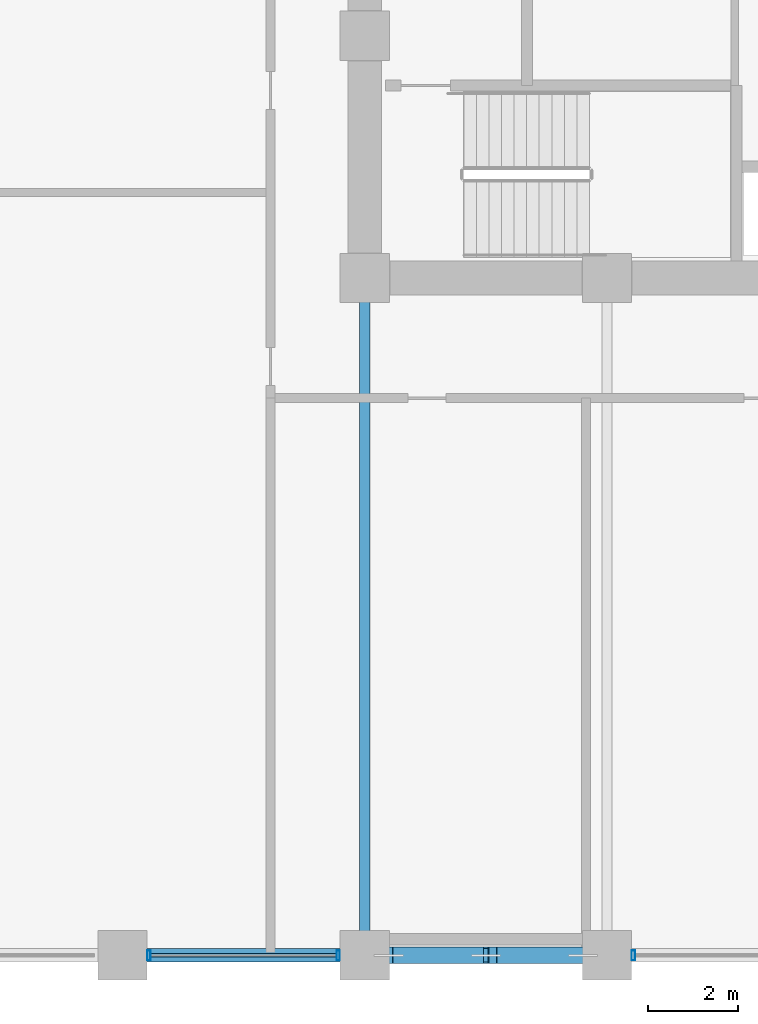
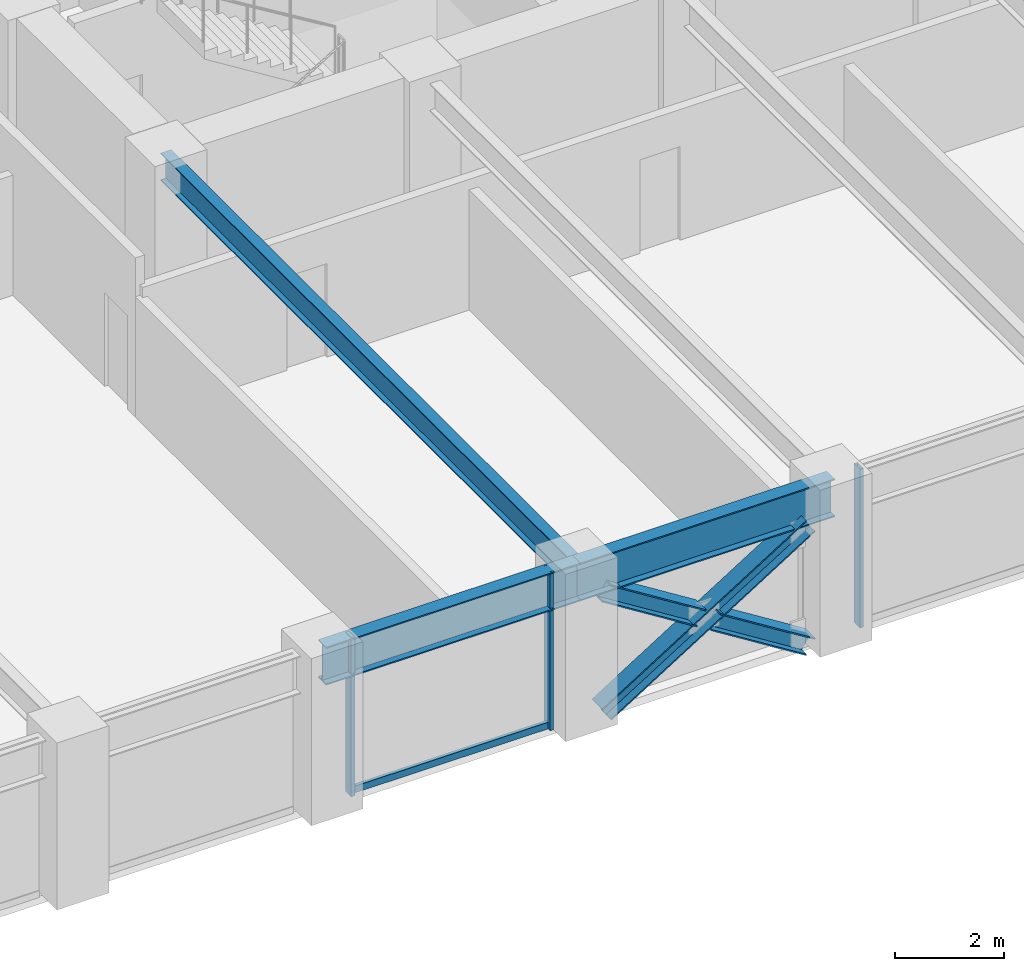
# One storey, part 4 of 25: 7 members, 3 beams, 2 elements without a shape of their own.
"""IFC4 building model written with IfcOpenShell, lengths in metres."""

from ifc_helpers import new_model, si_unit, direction, frame, origin, origin_2d, place, context, subcontext, project, spatial, hollow_rectangle, i_section, extrude, material, layer, layer_set, material_profile, profile_set, type_object, element, aggregate, save


model = new_model("IFC4")

# Units and contexts
model_context = context("Model", 3, precision=1e-05, world=origin(), true_north=direction((0.0, 1.0)))
body_context = subcontext(model_context, "Body", "Model", "MODEL_VIEW")
ifc_project = project(units=[si_unit("LENGTHUNIT", "METRE"), si_unit("AREAUNIT", "SQUARE_METRE"), si_unit("VOLUMEUNIT", "CUBIC_METRE"), si_unit("PLANEANGLEUNIT", "RADIAN"), si_unit("MASSUNIT", "GRAM", prefix="KILO")], contexts=[model_context])

# Site, building, storey
site_placement = place(None, origin())
site = spatial("IfcSite", under=ifc_project, at=site_placement, CompositionType="ELEMENT")
building_placement = place(site_placement, origin())
building = spatial("IfcBuilding", under=site, at=building_placement, Name="Surkhivell Harbour Commons", CompositionType="ELEMENT")
storey_placement = place(building_placement, frame((0.0, 0.0, 124.5)))
storey = spatial("IfcBuildingStorey", under=building, at=storey_placement, Name="L32", CompositionType="ELEMENT", Elevation=124.5)

# Beams
ifc_material_1 = material(Name="Steel S355", Category="steel")
ifc_material_profile_1 = material_profile(ifc_material_1, i_section(OverallWidth=0.22998046875, OverallDepth=0.616943359375, WebThickness=0.01318359375, FlangeThickness=0.022216796875, at=origin_2d()), Name="UB610x229x140")
ifc_profile_set_1 = profile_set([ifc_material_profile_1], Name="Steel S355")
beam_type_1 = type_object("IfcBeamType", Name="BM-GRD-610B", PredefinedType="BEAM", material=ifc_profile_set_1)
beam_1_placement = place(storey_placement, frame((-10.800048828125, -25.89990234375, 3.261474609375), z_axis=(0.0, 1.0, 0.0), x_axis=(-1.0, 0.0, 0.0)))
element("IfcBeam", 1, at=beam_1_placement, inside=storey, type_object=beam_type_1, Name="L32 Floor Girder (-10.8,-25.9)", PredefinedType="BEAM", context=body_context, shape_type="SweptSolid", body=[
    extrude(i_section(OverallWidth=0.22998046875, OverallDepth=0.616943359375, WebThickness=0.01318359375, FlangeThickness=0.022216796875, at=origin_2d()), origin(), (0.0, 0.0, 1.0), 15.099853515625),
])
ifc_material_2 = material(Name="Steel S460", Category="steel")
ifc_material_profile_2 = material_profile(ifc_material_2, i_section(OverallWidth=0.2939453125, OverallDepth=0.85107421875, WebThickness=0.01611328125, FlangeThickness=0.02685546875, at=origin_2d()), Name="UB838x292x226")
ifc_profile_set_2 = profile_set([ifc_material_profile_2], Name="Steel S460")
beam_type_2 = type_object("IfcBeamType", Name="BM-SPN-838", PredefinedType="SPANDREL", material=ifc_profile_set_2)
beam_2_placement = place(storey_placement, frame((-16.199951171875, -25.89990234375, 3.14453125), z_axis=(1.0, 0.0, 0.0), x_axis=(0.0, 1.0, 0.0)))
element("IfcBeam", 2, at=beam_2_placement, inside=storey, type_object=beam_type_2, Name="L32 Tube Spandrel (-16.2,-25.9)", PredefinedType="SPANDREL", context=body_context, shape_type="SweptSolid", body=[
    extrude(i_section(OverallWidth=0.2939453125, OverallDepth=0.85107421875, WebThickness=0.01611328125, FlangeThickness=0.02685546875, at=origin_2d()), origin(), (0.0, 0.0, 1.0), 5.39990234375),
])
beam_3_placement = place(storey_placement, frame((-10.800048828125, -25.89990234375, 3.14453125), z_axis=(1.0, 0.0, 0.0), x_axis=(0.0, 1.0, 0.0)))
element("IfcBeam", 3, at=beam_3_placement, inside=storey, type_object=beam_type_2, Name="L32 Tube Spandrel (-10.8,-25.9)", PredefinedType="SPANDREL", context=body_context, shape_type="SweptSolid", body=[
    extrude(i_section(OverallWidth=0.2939453125, OverallDepth=0.85107421875, WebThickness=0.01611328125, FlangeThickness=0.02685546875, at=origin_2d()), origin(), (0.0, 0.0, 1.0), 5.400146484375),
])

# Curtain wall, members
ifc_material_3 = material(Name="Anodised pale-metal aluminium and insulated glazing", Category="aluminium")
ifc_layer = layer(ifc_material_3, 0.205078125)
ifc_layer_set = layer_set([ifc_layer], Name="Anodised pale-metal aluminium and insulated glazing")
curtain_wall_type = type_object("IfcCurtainWallType", Name="CW-SYS-Z2", PredefinedType="NOTDEFINED", material=ifc_layer_set)
curtain_wall_1_placement = place(storey_placement, origin())
curtain_wall_1 = element("IfcCurtainWall", 4, at=curtain_wall_1_placement, inside=storey, type_object=curtain_wall_type, Name="L32 Curtain Wall CW-L32-E00S1", PredefinedType="NOTDEFINED")
ifc_material_4 = material(Name="Anodised pale-metal aluminium alloy 6063-T6", Category="aluminium")
ifc_material_profile_3 = material_profile(ifc_material_4, hollow_rectangle(XDim=0.074951171875, YDim=0.219970703125, WallThickness=0.00390625, at=origin_2d()), Name="ALU-MULL-75x220")
ifc_profile_set_3 = profile_set([ifc_material_profile_3], Name="Anodised pale-metal aluminium alloy 6063-T6")
member_type_1 = type_object("IfcMemberType", Name="CWM-220", PredefinedType="MULLION", material=ifc_profile_set_3)
member_1_placement = place(storey_placement, frame((-15.610595703125, -25.89990234375, 0.0), z_axis=(0.0, 0.0, 1.0), x_axis=(1.0, 0.0, 0.0)))
member_1 = element("IfcMember", 5, at=member_1_placement, type_object=member_type_1, Name="CW-Z2 mullion 3", PredefinedType="MULLION", context=body_context, shape_type="SweptSolid", body=[
    extrude(hollow_rectangle(XDim=0.074951171875, YDim=0.219970703125, WallThickness=0.00390625, at=origin_2d()), origin(), (0.0, 0.0, 1.0), 3.570068359375),
])
member_2_placement = place(storey_placement, frame((-11.389404296875, -25.89990234375, 0.0), z_axis=(0.0, 0.0, 1.0), x_axis=(1.0, 0.0, 0.0)))
member_2 = element("IfcMember", 6, at=member_2_placement, type_object=member_type_1, Name="CW-Z2 mullion 4", PredefinedType="MULLION", context=body_context, shape_type="SweptSolid", body=[
    extrude(hollow_rectangle(XDim=0.074951171875, YDim=0.219970703125, WallThickness=0.00390625, at=origin_2d()), origin(), (0.0, 0.0, 1.0), 3.570068359375),
])

# Curtain wall, member
curtain_wall_2_placement = place(storey_placement, origin())
curtain_wall_2 = element("IfcCurtainWall", 7, at=curtain_wall_2_placement, inside=storey, type_object=curtain_wall_type, Name="L32 Curtain Wall CW-L32-E00S2", PredefinedType="NOTDEFINED")
member_3_placement = place(storey_placement, frame((-4.810546875, -25.89990234375, 0.0), z_axis=(0.0, 0.0, 1.0), x_axis=(1.0, 0.0, 0.0)))
member_3 = element("IfcMember", 8, at=member_3_placement, type_object=member_type_1, Name="CW-Z2 mullion 1", PredefinedType="MULLION", context=body_context, shape_type="SweptSolid", body=[
    extrude(hollow_rectangle(XDim=0.074951171875, YDim=0.219970703125, WallThickness=0.00390625, at=origin_2d()), origin(), (0.0, 0.0, 1.0), 3.570068359375),
])
aggregate(curtain_wall_2, [member_3])

# Member
ifc_material_profile_4 = material_profile(ifc_material_4, hollow_rectangle(XDim=0.074951171875, YDim=0.14990234375, WallThickness=0.00341796875, at=origin_2d()), Name="ALU-TRAN-75x150")
ifc_profile_set_4 = profile_set([ifc_material_profile_4], Name="Anodised pale-metal aluminium alloy 6063-T6")
member_type_2 = type_object("IfcMemberType", Name="CWT-150", PredefinedType="USERDEFINED", material=ifc_profile_set_4)
member_4_placement = place(storey_placement, frame((-15.572998046875, -25.89990234375, 0.074951171875), z_axis=(1.0, 0.0, 0.0), x_axis=(0.0, 1.0, 0.0)))
member_4 = element("IfcMember", 9, at=member_4_placement, type_object=member_type_2, Name="CW-Z2 transom 3.1", ObjectType="TRANSOM", PredefinedType="USERDEFINED", context=body_context, shape_type="SweptSolid", body=[
    extrude(hollow_rectangle(XDim=0.074951171875, YDim=0.14990234375, WallThickness=0.00341796875, at=origin_2d()), origin(), (0.0, 0.0, 1.0), 4.14599609375),
])

aggregate(curtain_wall_1, [member_1, member_2, member_4])

# Members
ifc_material_profile_5 = material_profile(ifc_material_2, i_section(OverallWidth=0.375, OverallDepth=0.375, WebThickness=0.0166015625, FlangeThickness=0.027099609375, at=origin_2d()), Name="UC356x368x202")
ifc_profile_set_5 = profile_set([ifc_material_profile_5], Name="Steel S460")
member_type_3 = type_object("IfcMemberType", Name="MEM-BRC-UC356", PredefinedType="BRACE", material=ifc_profile_set_5)
member_5_placement = place(storey_placement, frame((-10.264892578125, -25.89990234375, 0.008056640625), z_axis=(0.847232535652, 0.0, 0.53122220448), x_axis=(0.0, 1.0, 0.0)))
element("IfcMember", 10, at=member_5_placement, inside=storey, type_object=member_type_3, Name="L32 Perimeter Mega-Brace MB- 07", PredefinedType="BRACE", context=body_context, shape_type="SweptSolid", body=[
    extrude(i_section(OverallWidth=0.375, OverallDepth=0.375, WebThickness=0.0166015625, FlangeThickness=0.027099609375, at=origin_2d()), origin(), (0.0, 0.0, 1.0), 5.110595703125),
])
member_6_placement = place(storey_placement, frame((-5.93505859375, -25.89990234375, 0.008056640625), z_axis=(-0.847206308526, 0.0, 0.53126403115), x_axis=(0.0, -1.0, 0.0)))
element("IfcMember", 11, at=member_6_placement, inside=storey, type_object=member_type_3, Name="L32 Perimeter Mega-Brace MB- 08", PredefinedType="BRACE", context=body_context, shape_type="SweptSolid", body=[
    extrude(i_section(OverallWidth=0.375, OverallDepth=0.375, WebThickness=0.0166015625, FlangeThickness=0.027099609375, at=origin_2d()), origin(), (0.0, 0.0, 1.0), 2.37548828125),
])
member_7_placement = place(storey_placement, frame((-8.25244140625, -25.89990234375, 1.461181640625), z_axis=(-0.84725256761, 0.0, 0.53119025469), x_axis=(0.0, -1.0, 0.0)))
element("IfcMember", 12, at=member_7_placement, inside=storey, type_object=member_type_3, Name="L32 Perimeter Mega-Brace MB- 09", PredefinedType="BRACE", context=body_context, shape_type="SweptSolid", body=[
    extrude(i_section(OverallWidth=0.375, OverallDepth=0.375, WebThickness=0.0166015625, FlangeThickness=0.027099609375, at=origin_2d()), origin(), (0.0, 0.0, 1.0), 2.375244140625),
])

save(model, "model.ifc")
